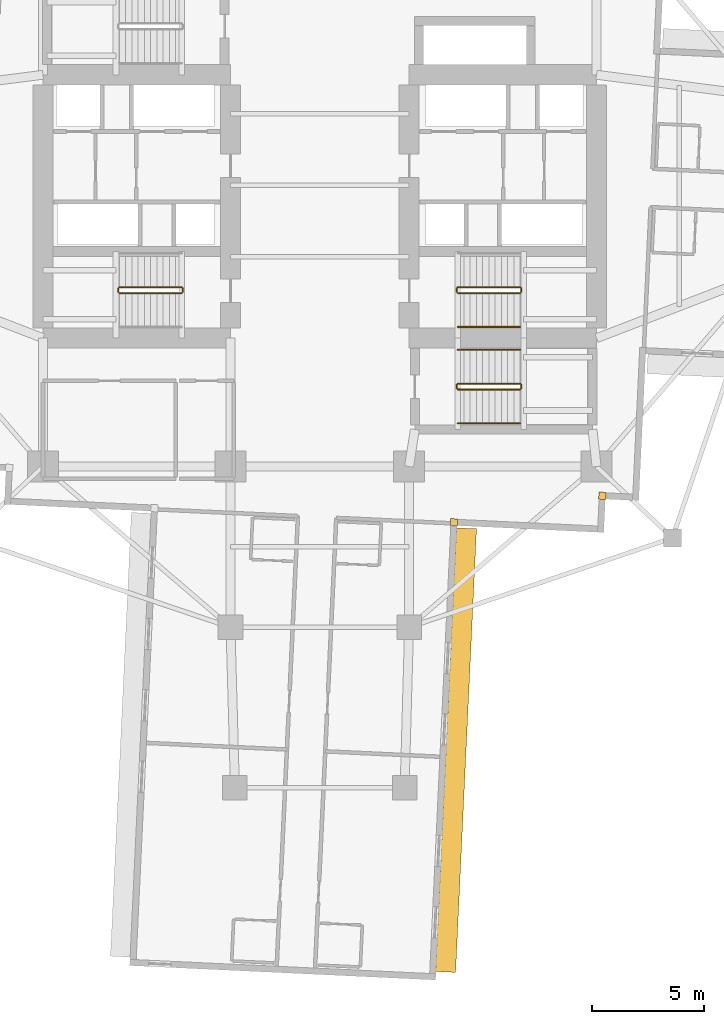
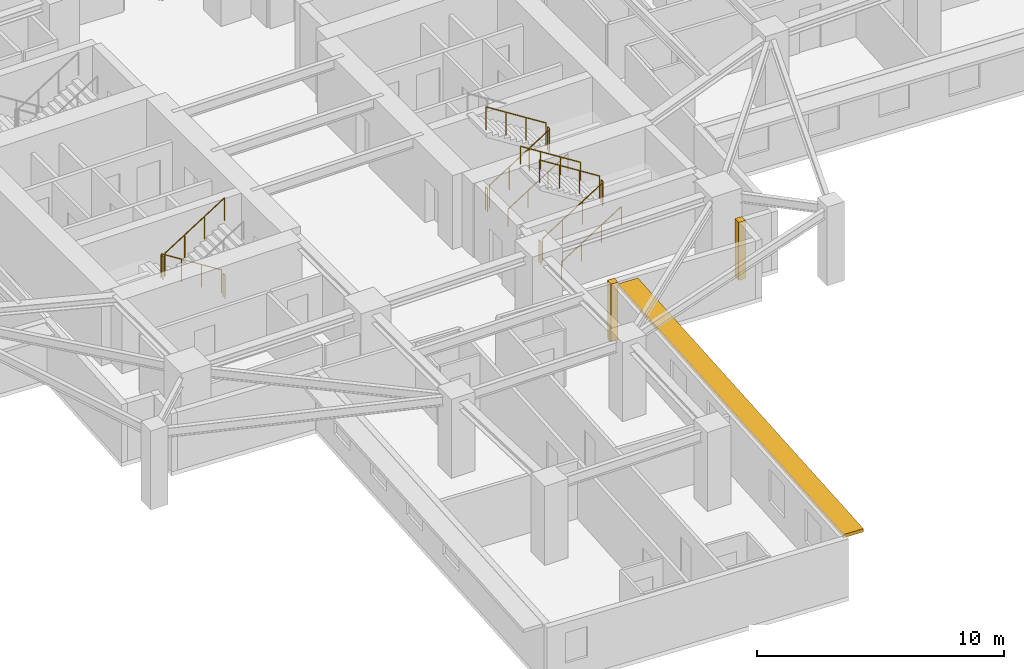
# One storey, part 10 of 13: 15 railings, 2 coverings, 1 shading device.
"""IFC4 building model written with IfcOpenShell, lengths in metres."""

import ifcopenshell
import ifcopenshell.guid

model = None  # the IFC model being written
_history = None  # IfcOwnerHistory: only IFC2X3 demands one
_inside = {}  # id of a spatial element -> (the spatial element, [elements in it])
_under = {}  # id of a project, library or spatial element -> (it, [spatial elements below it])
_declared = {}  # id of a project -> (the project, [libraries it declares])
_typed = {}  # id of a type object -> (the type object, [elements of that type])
_made_of = {}  # id of a material, layer set ... -> (it, [elements and type objects made of it])


def new_model(schema):
    """Start an empty IFC model of exactly this schema.

    Asked for "IFC4X3", IfcOpenShell would pick the latest addendum, in which some entities
    have other attributes; the version numbers below select the first issue.
    IFC2X3 requires an IfcOwnerHistory on every rooted entity: one is made here for all.
    """
    global model, _history
    if schema == "IFC4X3":
        model = ifcopenshell.file(schema_version=(4, 3, 0, 0))
    else:
        model = ifcopenshell.file(schema=schema)
    _inside.clear()
    _under.clear()
    _declared.clear()
    _typed.clear()
    _made_of.clear()
    _history = None
    if model.schema == "IFC2X3":
        org = make("IfcOrganization", Name="unknown")
        user = make(
            "IfcPersonAndOrganization",
            ThePerson=make("IfcPerson", FamilyName="unknown"),
            TheOrganization=org,
        )
        app = make(
            "IfcApplication",
            ApplicationDeveloper=org,
            Version="unknown",
            ApplicationFullName="unknown",
            ApplicationIdentifier="unknown",
        )
        _history = make(
            "IfcOwnerHistory",
            OwningUser=user,
            OwningApplication=app,
            ChangeAction="ADDED",
            CreationDate=0,
        )
    return model


def make(cls, **values):
    """One entity of the class cls with the attributes given. An attribute that is None is left unset."""
    return model.create_entity(
        cls, **{name: value for name, value in values.items() if value is not None}
    )


def rooted(cls, **values):
    """An entity with a GlobalId (a new one), such as an element, a storey or a relation."""
    return make(cls, GlobalId=ifcopenshell.guid.new(), OwnerHistory=_history, **values)


def si_unit(unit_type, name, prefix=None):
    """IfcSIUnit, for example si_unit("LENGTHUNIT", "METRE", prefix="MILLI")."""
    return make("IfcSIUnit", UnitType=unit_type, Prefix=prefix, Name=name)


def assignment(units):
    """IfcUnitAssignment: the units of a project."""
    return None if units is None else make("IfcUnitAssignment", Units=units)


def point(xyz):
    """IfcCartesianPoint."""
    return None if xyz is None else make("IfcCartesianPoint", Coordinates=xyz)


def direction(xyz):
    """IfcDirection."""
    return None if xyz is None else make("IfcDirection", DirectionRatios=xyz)


def frame(location, z_axis=None, x_axis=None):
    """IfcAxis2Placement3D, a coordinate frame: its origin and axes. An axis left out is left unset."""
    return make(
        "IfcAxis2Placement3D",
        Location=point(location),
        Axis=direction(z_axis),
        RefDirection=direction(x_axis),
    )


def frame_2d(location, x_axis=None):
    """IfcAxis2Placement2D, a coordinate frame in the plane: its origin and x axis."""
    return make(
        "IfcAxis2Placement2D", Location=point(location), RefDirection=direction(x_axis)
    )


def origin():
    """The frame at (0, 0, 0) with its axes left unset."""
    return frame((0.0, 0.0, 0.0))


def origin_2d():
    """The frame at (0, 0) in the plane with its x axis left unset."""
    return frame_2d((0.0, 0.0))


def place(relative_to, where):
    """IfcLocalPlacement: puts the frame where relative to a parent placement (None: the world)."""
    return make(
        "IfcLocalPlacement", PlacementRelTo=relative_to, RelativePlacement=where
    )


def context(
    kind, dimensions, precision=None, world=None, true_north=None, identifier=None
):
    """IfcGeometricRepresentationContext, for example the 3D "Model" context."""
    return make(
        "IfcGeometricRepresentationContext",
        ContextIdentifier=identifier,
        ContextType=kind,
        CoordinateSpaceDimension=dimensions,
        Precision=precision,
        WorldCoordinateSystem=world,
        TrueNorth=true_north,
    )


def subcontext(parent, identifier, kind, view, scale=None):
    """IfcGeometricRepresentationSubContext, for example "Body" below "Model"."""
    return make(
        "IfcGeometricRepresentationSubContext",
        ContextIdentifier=identifier,
        ContextType=kind,
        ParentContext=parent,
        TargetScale=scale,
        TargetView=view,
    )


def project(units=None, contexts=None):
    """IfcProject with its units and contexts."""
    return rooted(
        "IfcProject",
        Name="project",
        RepresentationContexts=contexts,
        UnitsInContext=assignment(units),
    )


def spatial(cls, under=None, at=None, **own):
    """A site, building, storey or space (cls), placed at a placement, below another one or the project."""
    s = rooted(cls, ObjectPlacement=at, **own)
    if under is not None:
        _under.setdefault(under.id(), (under, []))[1].append(s)
    return s


def profile(cls, at=None, kind="AREA", **sizes):
    """A parametric profile (cls). Its sizes go by their IFC names, for example OverallWidth=200.0."""
    return make(cls, ProfileType=kind, Position=at, **sizes)


def rectangle(**sizes):
    """IfcRectangleProfileDef."""
    return profile("IfcRectangleProfileDef", **sizes)


def circle(**sizes):
    """IfcCircleProfileDef."""
    return profile("IfcCircleProfileDef", **sizes)


def extrude(swept, where, along, depth):
    """IfcExtrudedAreaSolid: the profile swept, set in the frame where, extruded along a direction by depth."""
    return make(
        "IfcExtrudedAreaSolid",
        SweptArea=swept,
        Position=where,
        ExtrudedDirection=direction(along),
        Depth=depth,
    )


def shape(context_of_items, identifier, shape_type, items):
    """IfcShapeRepresentation: the items that make up one representation, for example the "Body"."""
    return make(
        "IfcShapeRepresentation",
        ContextOfItems=context_of_items,
        RepresentationIdentifier=identifier,
        RepresentationType=shape_type,
        Items=items,
    )


def material(Name=None, Category=None):
    """IfcMaterial."""
    return make("IfcMaterial", Name=Name, Category=Category)


def layer(
    of_material, thickness, ventilated=None, Name=None, Category=None, Priority=None
):
    """IfcMaterialLayer: one layer of a wall or slab, of a material (None: an air gap)."""
    return make(
        "IfcMaterialLayer",
        Material=of_material,
        LayerThickness=thickness,
        IsVentilated=ventilated,
        Name=Name,
        Category=Category,
        Priority=Priority,
    )


def layer_set(layers, Name=None):
    """IfcMaterialLayerSet."""
    return make("IfcMaterialLayerSet", MaterialLayers=layers, LayerSetName=Name)


def made_of(thing, what):
    """Note that an element or type object is made of a material, layer set ...; save() writes the relation."""
    if what is not None:
        _made_of.setdefault(what.id(), (what, []))[1].append(thing)
    return thing


def type_object(cls, material=None, **own):
    """A type object (cls), such as IfcWallType, which elements share."""
    return made_of(rooted(cls, **own), material)


def element(
    cls,
    number,
    at=None,
    inside=None,
    cuts=None,
    type_object=None,
    material=None,
    context=None,
    identifier="Body",
    shape_type=None,
    held_by="IfcProductDefinitionShape",
    body=None,
    shapes=None,
    **own,
):
    """One element of the class cls, such as IfcWall. Its Tag is "e" and its number.

    at: its placement. inside: the storey or other place that contains it. cuts: it is an
    opening in that element (IfcRelVoidsElement). A single representation is given by context,
    identifier, shape_type and body (its items); several are given by shapes. held_by: the class
    of the entity that holds the representations. save() writes the other relations.
    """
    e = rooted(cls, Tag="e%d" % number, ObjectPlacement=at, **own)
    if body is not None:
        shapes = [shape(context, identifier, shape_type, body)]
    if shapes is not None:
        e.Representation = make(held_by, Representations=shapes)
    if inside is not None:
        _inside.setdefault(inside.id(), (inside, []))[1].append(e)
    if cuts is not None:
        rooted(
            "IfcRelVoidsElement", RelatingBuildingElement=cuts, RelatedOpeningElement=e
        )
    if type_object is not None:
        _typed.setdefault(type_object.id(), (type_object, []))[1].append(e)
    return made_of(e, material)


def aggregate(whole, parts):
    """IfcRelAggregates: a whole, such as a stair, and the parts it consists of."""
    return rooted("IfcRelAggregates", RelatingObject=whole, RelatedObjects=parts)


def save(model, path):
    """Write the relations noted so far, then the file.

    IfcRelAggregates (storeys below a building ...), IfcRelContainedInSpatialStructure (elements
    in a storey), IfcRelDefinesByType, IfcRelAssociatesMaterial and IfcRelDeclares: one each for
    every whole, place, type object, material and project.
    """
    for whole, parts in _under.values():
        aggregate(whole, parts)
    for where, things in _inside.values():
        rooted(
            "IfcRelContainedInSpatialStructure",
            RelatedElements=things,
            RelatingStructure=where,
        )
    for kind, things in _typed.values():
        rooted("IfcRelDefinesByType", RelatedObjects=things, RelatingType=kind)
    for what, things in _made_of.values():
        rooted("IfcRelAssociatesMaterial", RelatedObjects=things, RelatingMaterial=what)
    for by, libraries in _declared.values():
        rooted("IfcRelDeclares", RelatingContext=by, RelatedDefinitions=libraries)
    model.write(path)


model = new_model("IFC4")

# Units and contexts
model_context = context("Model", 3, precision=1e-05, world=origin(), true_north=direction((0.0, 1.0)))
body_context = subcontext(model_context, "Body", "Model", "MODEL_VIEW")
ifc_project = project(units=[si_unit("LENGTHUNIT", "METRE"), si_unit("AREAUNIT", "SQUARE_METRE"), si_unit("VOLUMEUNIT", "CUBIC_METRE"), si_unit("PLANEANGLEUNIT", "RADIAN"), si_unit("MASSUNIT", "GRAM", prefix="KILO")], contexts=[model_context])

# Site, building, storey
site_placement = place(None, origin())
site = spatial("IfcSite", under=ifc_project, at=site_placement, CompositionType="ELEMENT")
building_placement = place(site_placement, origin())
building = spatial("IfcBuilding", under=site, at=building_placement, Name="Qingluan Cross Belvedere", CompositionType="ELEMENT")
storey_placement = place(building_placement, frame((0.0, 0.0, 91.199951171875)))
storey = spatial("IfcBuildingStorey", under=building, at=storey_placement, Name="L23", CompositionType="ELEMENT", Elevation=91.199951171875)

# Coverings
ifc_material_1 = material(Name="Precast concrete C45", Category="concrete")
ifc_layer_1 = layer(ifc_material_1, 0.1201171875, Name="ConcreteSpandrelCladding_120")
ifc_layer_set_1 = layer_set([ifc_layer_1], Name="Precast concrete C45")
covering_type = type_object("IfcCoveringType", Name="ConcreteSpandrelCladding_120", PredefinedType="CLADDING", material=ifc_layer_set_1)
for number, where, z_axis, x_axis, name in (
    (1, (12.65869140625, -13.911865234375, 0.0), (0.0, 0.0, 1.0), (0.998889874962, -0.04710645071, 0.0), "Corner closure L23-SE1"),
    (2, (6.015380859375, -15.10009765625, 0.0), (0.0, 0.0, 1.0), (0.998889874962, -0.04710645071, 0.0), "Corner closure L23-SE2"),
):
    element("IfcCovering", number, at=place(storey_placement, frame(where, z_axis=z_axis, x_axis=x_axis)), inside=storey, type_object=covering_type, Name=name, PredefinedType="CLADDING", context=body_context, shape_type="SweptSolid", body=[
        extrude(rectangle(XDim=0.320068359375, YDim=0.320068359375, at=origin_2d()), origin(), (0.0, 0.0, 1.0), 2.860107421875),
    ])

# Shading device
ifc_material_2 = material(Name="Precast concrete C45", Category="concrete")
ifc_layer_2 = layer(ifc_material_2, 0.159912109375, Name="ConcreteSunshadeBand_900")
ifc_layer_set_2 = layer_set([ifc_layer_2], Name="Precast concrete C45")
shading_device_type = type_object("IfcShadingDeviceType", Name="ConcreteSunshadeBand_900", PredefinedType="USERDEFINED", material=ifc_layer_set_2)
shading_device_placement = place(storey_placement, frame((6.104736328125, -25.3056640625, 2.68017578125), z_axis=(0.0, 0.0, 1.0), x_axis=(0.04710941444, 0.998889735192, 0.0)))
element("IfcShadingDevice", 3, at=shading_device_placement, inside=storey, type_object=shading_device_type, Name="Concrete SUNSHADE L23-SB", ObjectType="SUNSHADE", PredefinedType="USERDEFINED", context=body_context, shape_type="SweptSolid", body=[
    extrude(rectangle(XDim=19.89990234375, YDim=0.89990234375, at=origin_2d()), origin(), (0.0, 0.0, 1.0), 0.159912109375),
])

# Railings
ifc_material_3 = material(Name="Brushed stainless steel tubular handrail", Category="steel")
railing_type_1 = type_object("IfcRailingType", Name="StairPitchHandrail_900", PredefinedType="HANDRAIL", material=ifc_material_3)
for number, where, name in (
    (4, (6.179931640625, -6.35009765625, 0.17724609375), "L23 ST2 stair handrail 1"),
    (5, (6.179931640625, -10.669921875, 0.17724609375), "L23 ST4 stair handrail 1"),
):
    element("IfcRailing", number, at=place(storey_placement, frame(where)), inside=storey, type_object=railing_type_1, Name=name, PredefinedType="HANDRAIL", context=body_context, shape_type="SweptSolid", body=[
        extrude(circle(Radius=0.02392578125, at=origin_2d()), frame((0.0, 0.0, 0.8759765625), z_axis=(0.844908973607, 0.0, 0.534910110503), x_axis=(0.0, 1.0, 0.0)), (0.0, 0.0, 1.0), 3.31396484375),
        extrude(circle(Radius=0.02099609375, at=origin_2d()), origin(), (0.0, 0.0, 1.0), 0.851806640625),
        extrude(circle(Radius=0.02099609375, at=origin_2d()), frame((0.933349609375, 0.0, 0.5908203125)), (0.0, 0.0, 1.0), 0.851806640625),
        extrude(circle(Radius=0.02099609375, at=origin_2d()), frame((1.86669921875, 0.0, 1.181884765625)), (0.0, 0.0, 1.0), 0.851806640625),
        extrude(circle(Radius=0.02099609375, at=origin_2d()), frame((2.800048828125, 0.0, 1.772705078125)), (0.0, 0.0, 1.0), 0.851806640625),
    ])
railing_1_placement = place(storey_placement, frame((8.97998046875, -7.3701171875, 2.12744140625)))
element("IfcRailing", 6, at=railing_1_placement, inside=storey, type_object=railing_type_1, Name="L23 ST4 stair handrail 2", PredefinedType="HANDRAIL", context=body_context, shape_type="SweptSolid", body=[
    extrude(circle(Radius=0.02392578125, at=origin_2d()), frame((0.0, 0.0, 0.8759765625), z_axis=(-0.844908973607, 0.0, 0.534910110503), x_axis=(0.0, -1.0, 0.0)), (0.0, 0.0, 1.0), 3.31396484375),
    extrude(circle(Radius=0.02099609375, at=origin_2d()), origin(), (0.0, 0.0, 1.0), 0.851806640625),
    extrude(circle(Radius=0.02099609375, at=origin_2d()), frame((-0.933349609375, 0.0, 0.5908203125)), (0.0, 0.0, 1.0), 0.851806640625),
    extrude(circle(Radius=0.02099609375, at=origin_2d()), frame((-1.86669921875, 0.0, 1.181884765625)), (0.0, 0.0, 1.0), 0.851806640625),
    extrude(circle(Radius=0.02099609375, at=origin_2d()), frame((-2.800048828125, 0.0, 1.772705078125)), (0.0, 0.0, 1.0), 0.851806640625),
])
ifc_material_4 = material(Name="Painted steel stair well guard", Category="steel")
railing_type_2 = type_object("IfcRailingType", Name="StairWellGuard_1150", PredefinedType="BALUSTRADE", material=ifc_material_4)
railing_2_placement = place(storey_placement, frame((-6.179931640625, -4.570068359375, 0.17724609375)))
element("IfcRailing", 7, at=railing_2_placement, inside=storey, type_object=railing_type_2, Name="L23 ST1 stair guard 1", PredefinedType="BALUSTRADE", context=body_context, shape_type="SweptSolid", body=[
    extrude(circle(Radius=0.02392578125, at=origin_2d()), frame((0.0, 0.0, 1.1259765625), z_axis=(-0.844908973607, 0.0, 0.534910110503), x_axis=(0.0, -1.0, 0.0)), (0.0, 0.0, 1.0), 3.31396484375),
    extrude(circle(Radius=0.02099609375, at=origin_2d()), origin(), (0.0, 0.0, 1.0), 1.101806640625),
    extrude(circle(Radius=0.02099609375, at=origin_2d()), frame((-0.933349609375, 0.0, 0.5908203125)), (0.0, 0.0, 1.0), 1.101806640625),
    extrude(circle(Radius=0.02099609375, at=origin_2d()), frame((-1.86669921875, 0.0, 1.181884765625)), (0.0, 0.0, 1.0), 1.101806640625),
    extrude(circle(Radius=0.02099609375, at=origin_2d()), frame((-2.800048828125, 0.0, 1.772705078125)), (0.0, 0.0, 1.0), 1.101806640625),
])
railing_3_placement = place(storey_placement, frame((-9.030029296875, -4.6201171875, 1.949951171875)))
element("IfcRailing", 8, at=railing_3_placement, inside=storey, type_object=railing_type_2, Name="L23 ST1 stair guard 2", PredefinedType="BALUSTRADE", context=body_context, shape_type="SweptSolid", body=[
    extrude(circle(Radius=0.02392578125, at=origin_2d()), frame((0.0, 0.0, 1.1259765625), z_axis=(0.0, -1.0, 0.0), x_axis=(1.0, 0.0, 0.0)), (0.0, 0.0, 1.0), 0.159912109375),
    extrude(circle(Radius=0.02099609375, at=origin_2d()), origin(), (0.0, 0.0, 1.0), 1.101806640625),
    extrude(circle(Radius=0.02099609375, at=origin_2d()), frame((0.0, -0.159912109375, 0.0)), (0.0, 0.0, 1.0), 1.101806640625),
])
railing_4_placement = place(storey_placement, frame((-8.97998046875, -4.830078125, 2.12744140625)))
element("IfcRailing", 9, at=railing_4_placement, inside=storey, type_object=railing_type_2, Name="L23 ST1 stair guard 3", PredefinedType="BALUSTRADE", context=body_context, shape_type="SweptSolid", body=[
    extrude(circle(Radius=0.02392578125, at=origin_2d()), frame((0.0, 0.0, 1.1259765625), z_axis=(0.844908973607, 0.0, 0.534910110503), x_axis=(0.0, 1.0, 0.0)), (0.0, 0.0, 1.0), 3.31396484375),
    extrude(circle(Radius=0.02099609375, at=origin_2d()), origin(), (0.0, 0.0, 1.0), 1.101806640625),
    extrude(circle(Radius=0.02099609375, at=origin_2d()), frame((0.933349609375, 0.0, 0.5908203125)), (0.0, 0.0, 1.0), 1.101806640625),
    extrude(circle(Radius=0.02099609375, at=origin_2d()), frame((1.86669921875, 0.0, 1.181884765625)), (0.0, 0.0, 1.0), 1.101806640625),
    extrude(circle(Radius=0.02099609375, at=origin_2d()), frame((2.800048828125, 0.0, 1.772705078125)), (0.0, 0.0, 1.0), 1.101806640625),
])
railing_5_placement = place(storey_placement, frame((-6.1298828125, -4.6201171875, 0.0)))
element("IfcRailing", 10, at=railing_5_placement, inside=storey, type_object=railing_type_2, Name="L23 ST1 stair guard 4", PredefinedType="BALUSTRADE", context=body_context, shape_type="SweptSolid", body=[
    extrude(circle(Radius=0.02392578125, at=origin_2d()), frame((0.0, 0.0, 1.1259765625), z_axis=(0.0, -1.0, 0.0), x_axis=(1.0, 0.0, 0.0)), (0.0, 0.0, 1.0), 0.159912109375),
    extrude(circle(Radius=0.02099609375, at=origin_2d()), origin(), (0.0, 0.0, 1.0), 1.101806640625),
    extrude(circle(Radius=0.02099609375, at=origin_2d()), frame((0.0, -0.159912109375, 0.0)), (0.0, 0.0, 1.0), 1.101806640625),
])
railing_6_placement = place(storey_placement, frame((6.179931640625, -4.830078125, 0.17724609375)))
element("IfcRailing", 11, at=railing_6_placement, inside=storey, type_object=railing_type_2, Name="L23 ST2 stair guard 1", PredefinedType="BALUSTRADE", context=body_context, shape_type="SweptSolid", body=[
    extrude(circle(Radius=0.02392578125, at=origin_2d()), frame((0.0, 0.0, 1.1259765625), z_axis=(0.844908973607, 0.0, 0.534910110503), x_axis=(0.0, 1.0, 0.0)), (0.0, 0.0, 1.0), 3.31396484375),
    extrude(circle(Radius=0.02099609375, at=origin_2d()), origin(), (0.0, 0.0, 1.0), 1.101806640625),
    extrude(circle(Radius=0.02099609375, at=origin_2d()), frame((0.933349609375, 0.0, 0.5908203125)), (0.0, 0.0, 1.0), 1.101806640625),
    extrude(circle(Radius=0.02099609375, at=origin_2d()), frame((1.86669921875, 0.0, 1.181884765625)), (0.0, 0.0, 1.0), 1.101806640625),
    extrude(circle(Radius=0.02099609375, at=origin_2d()), frame((2.800048828125, 0.0, 1.772705078125)), (0.0, 0.0, 1.0), 1.101806640625),
])
railing_7_placement = place(storey_placement, frame((9.030029296875, -4.780029296875, 1.949951171875)))
element("IfcRailing", 12, at=railing_7_placement, inside=storey, type_object=railing_type_2, Name="L23 ST2 stair guard 2", PredefinedType="BALUSTRADE", context=body_context, shape_type="SweptSolid", body=[
    extrude(circle(Radius=0.02392578125, at=origin_2d()), frame((0.0, 0.0, 1.1259765625), z_axis=(0.0, 1.0, 0.0), x_axis=(-1.0, 0.0, 0.0)), (0.0, 0.0, 1.0), 0.159912109375),
    extrude(circle(Radius=0.02099609375, at=origin_2d()), origin(), (0.0, 0.0, 1.0), 1.101806640625),
    extrude(circle(Radius=0.02099609375, at=origin_2d()), frame((0.0, 0.159912109375, 0.0)), (0.0, 0.0, 1.0), 1.101806640625),
])
railing_8_placement = place(storey_placement, frame((8.97998046875, -4.570068359375, 2.12744140625)))
element("IfcRailing", 13, at=railing_8_placement, inside=storey, type_object=railing_type_2, Name="L23 ST2 stair guard 3", PredefinedType="BALUSTRADE", context=body_context, shape_type="SweptSolid", body=[
    extrude(circle(Radius=0.02392578125, at=origin_2d()), frame((0.0, 0.0, 1.1259765625), z_axis=(-0.844908973607, 0.0, 0.534910110503), x_axis=(0.0, -1.0, 0.0)), (0.0, 0.0, 1.0), 3.31396484375),
    extrude(circle(Radius=0.02099609375, at=origin_2d()), origin(), (0.0, 0.0, 1.0), 1.101806640625),
    extrude(circle(Radius=0.02099609375, at=origin_2d()), frame((-0.933349609375, 0.0, 0.5908203125)), (0.0, 0.0, 1.0), 1.101806640625),
    extrude(circle(Radius=0.02099609375, at=origin_2d()), frame((-1.86669921875, 0.0, 1.181884765625)), (0.0, 0.0, 1.0), 1.101806640625),
    extrude(circle(Radius=0.02099609375, at=origin_2d()), frame((-2.800048828125, 0.0, 1.772705078125)), (0.0, 0.0, 1.0), 1.101806640625),
])
railing_9_placement = place(storey_placement, frame((6.1298828125, -4.780029296875, 0.0)))
element("IfcRailing", 14, at=railing_9_placement, inside=storey, type_object=railing_type_2, Name="L23 ST2 stair guard 4", PredefinedType="BALUSTRADE", context=body_context, shape_type="SweptSolid", body=[
    extrude(circle(Radius=0.02392578125, at=origin_2d()), frame((0.0, 0.0, 1.1259765625), z_axis=(0.0, 1.0, 0.0), x_axis=(-1.0, 0.0, 0.0)), (0.0, 0.0, 1.0), 0.159912109375),
    extrude(circle(Radius=0.02099609375, at=origin_2d()), origin(), (0.0, 0.0, 1.0), 1.101806640625),
    extrude(circle(Radius=0.02099609375, at=origin_2d()), frame((0.0, 0.159912109375, 0.0)), (0.0, 0.0, 1.0), 1.101806640625),
])
railing_10_placement = place(storey_placement, frame((6.179931640625, -9.14990234375, 0.17724609375)))
element("IfcRailing", 15, at=railing_10_placement, inside=storey, type_object=railing_type_2, Name="L23 ST4 stair guard 1", PredefinedType="BALUSTRADE", context=body_context, shape_type="SweptSolid", body=[
    extrude(circle(Radius=0.02392578125, at=origin_2d()), frame((0.0, 0.0, 1.1259765625), z_axis=(0.844908973607, 0.0, 0.534910110503), x_axis=(0.0, 1.0, 0.0)), (0.0, 0.0, 1.0), 3.31396484375),
    extrude(circle(Radius=0.02099609375, at=origin_2d()), origin(), (0.0, 0.0, 1.0), 1.101806640625),
    extrude(circle(Radius=0.02099609375, at=origin_2d()), frame((0.933349609375, 0.0, 0.5908203125)), (0.0, 0.0, 1.0), 1.101806640625),
    extrude(circle(Radius=0.02099609375, at=origin_2d()), frame((1.86669921875, 0.0, 1.181884765625)), (0.0, 0.0, 1.0), 1.101806640625),
    extrude(circle(Radius=0.02099609375, at=origin_2d()), frame((2.800048828125, 0.0, 1.772705078125)), (0.0, 0.0, 1.0), 1.101806640625),
])
railing_11_placement = place(storey_placement, frame((9.030029296875, -9.10009765625, 1.949951171875)))
element("IfcRailing", 16, at=railing_11_placement, inside=storey, type_object=railing_type_2, Name="L23 ST4 stair guard 2", PredefinedType="BALUSTRADE", context=body_context, shape_type="SweptSolid", body=[
    extrude(circle(Radius=0.02392578125, at=origin_2d()), frame((0.0, 0.0, 1.1259765625), z_axis=(0.0, 1.0, 0.0), x_axis=(-1.0, 0.0, 0.0)), (0.0, 0.0, 1.0), 0.16015625),
    extrude(circle(Radius=0.02099609375, at=origin_2d()), origin(), (0.0, 0.0, 1.0), 1.101806640625),
    extrude(circle(Radius=0.02099609375, at=origin_2d()), frame((0.0, 0.16015625, 0.0)), (0.0, 0.0, 1.0), 1.101806640625),
])
railing_12_placement = place(storey_placement, frame((8.97998046875, -8.889892578125, 2.12744140625)))
element("IfcRailing", 17, at=railing_12_placement, inside=storey, type_object=railing_type_2, Name="L23 ST4 stair guard 3", PredefinedType="BALUSTRADE", context=body_context, shape_type="SweptSolid", body=[
    extrude(circle(Radius=0.02392578125, at=origin_2d()), frame((0.0, 0.0, 1.1259765625), z_axis=(-0.844908973607, 0.0, 0.534910110503), x_axis=(0.0, -1.0, 0.0)), (0.0, 0.0, 1.0), 3.31396484375),
    extrude(circle(Radius=0.02099609375, at=origin_2d()), origin(), (0.0, 0.0, 1.0), 1.101806640625),
    extrude(circle(Radius=0.02099609375, at=origin_2d()), frame((-0.933349609375, 0.0, 0.5908203125)), (0.0, 0.0, 1.0), 1.101806640625),
    extrude(circle(Radius=0.02099609375, at=origin_2d()), frame((-1.86669921875, 0.0, 1.181884765625)), (0.0, 0.0, 1.0), 1.101806640625),
    extrude(circle(Radius=0.02099609375, at=origin_2d()), frame((-2.800048828125, 0.0, 1.772705078125)), (0.0, 0.0, 1.0), 1.101806640625),
])
railing_13_placement = place(storey_placement, frame((6.1298828125, -9.10009765625, 0.0)))
element("IfcRailing", 18, at=railing_13_placement, inside=storey, type_object=railing_type_2, Name="L23 ST4 stair guard 4", PredefinedType="BALUSTRADE", context=body_context, shape_type="SweptSolid", body=[
    extrude(circle(Radius=0.02392578125, at=origin_2d()), frame((0.0, 0.0, 1.1259765625), z_axis=(0.0, 1.0, 0.0), x_axis=(-1.0, 0.0, 0.0)), (0.0, 0.0, 1.0), 0.16015625),
    extrude(circle(Radius=0.02099609375, at=origin_2d()), origin(), (0.0, 0.0, 1.0), 1.101806640625),
    extrude(circle(Radius=0.02099609375, at=origin_2d()), frame((0.0, 0.16015625, 0.0)), (0.0, 0.0, 1.0), 1.101806640625),
])

save(model, "model.ifc")
